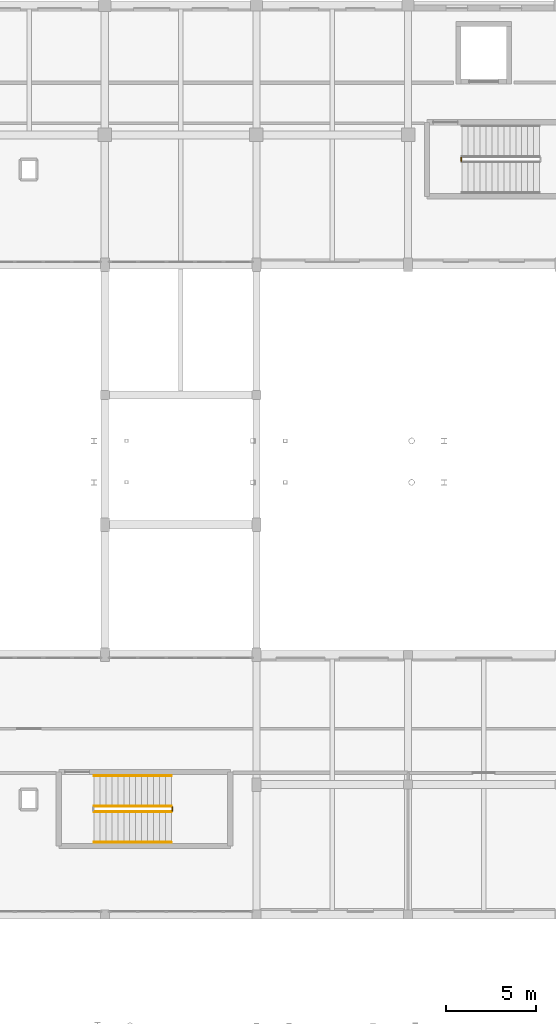
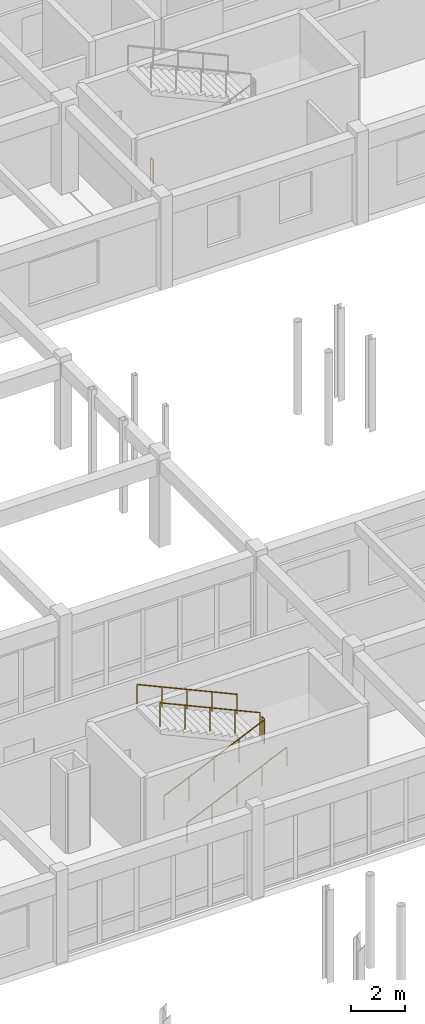
# One storey, part 89 of 90: 6 railings.
"""IFC4 building model written with IfcOpenShell, lengths in metres."""

from ifc_helpers import new_model, si_unit, direction, frame, origin, origin_2d, place, context, subcontext, project, spatial, circle, extrude, material, layer, layer_set, type_object, element, save


model = new_model("IFC4")

# Units and contexts
model_context = context("Model", 3, precision=1e-05, world=origin(), true_north=direction((0.0, 1.0)))
body_context = subcontext(model_context, "Body", "Model", "MODEL_VIEW")
ifc_project = project(units=[si_unit("LENGTHUNIT", "METRE"), si_unit("AREAUNIT", "SQUARE_METRE"), si_unit("VOLUMEUNIT", "CUBIC_METRE"), si_unit("PLANEANGLEUNIT", "RADIAN"), si_unit("MASSUNIT", "GRAM", prefix="KILO")], contexts=[model_context])

# Site, building, storey
site_placement = place(None, origin())
site = spatial("IfcSite", under=ifc_project, at=site_placement, CompositionType="ELEMENT")
building_placement = place(site_placement, origin())
building = spatial("IfcBuilding", under=site, at=building_placement, Name="Malvenik Polytechnic", CompositionType="ELEMENT")
storey_placement = place(building_placement, frame((0.0, 0.0, 9.300048828125)))
storey = spatial("IfcBuildingStorey", under=building, at=storey_placement, Name="L02", CompositionType="ELEMENT", Elevation=9.300048828125)

# Railings
ifc_material_1 = material(Name="Painted galvanised steel stair well balustrade 1100mm", Category="steel")
ifc_layer_1 = layer(ifc_material_1, 0.050048828125)
ifc_layer_set_1 = layer_set([ifc_layer_1], Name="Painted galvanised steel stair well balustrade 1100mm")
railing_type_1 = type_object("IfcRailingType", Name="ARC-RL-STGD", PredefinedType="BALUSTRADE", material=ifc_layer_set_1)
railing_1_placement = place(storey_placement, frame((95.35009765625, 120.949951171875, 0.0)))
element("IfcRailing", 1, at=railing_1_placement, inside=storey, type_object=railing_type_1, Name="L02 ST-03 stair guard 4", PredefinedType="BALUSTRADE", context=body_context, shape_type="SweptSolid", body=[
    extrude(circle(Radius=0.02392578125, at=origin_2d()), frame((0.0, 0.0, 1.076171875), z_axis=(0.0, 1.0, 0.0), x_axis=(-1.0, 0.0, 0.0)), (0.0, 0.0, 1.0), 0.199951171875),
    extrude(circle(Radius=0.02099609375, at=origin_2d()), origin(), (0.0, 0.0, 1.0), 1.052001953125),
    extrude(circle(Radius=0.02099609375, at=origin_2d()), frame((0.0, 0.199951171875, 0.0)), (0.0, 0.0, 1.0), 1.052001953125),
])
railing_2_placement = place(storey_placement, frame((75.0, 84.89990234375, 0.14990234375)))
element("IfcRailing", 2, at=railing_2_placement, inside=storey, type_object=railing_type_1, Name="L02 ST-05 stair guard 1", PredefinedType="BALUSTRADE", context=body_context, shape_type="SweptSolid", body=[
    extrude(circle(Radius=0.02392578125, at=origin_2d()), frame((0.0, 0.0, 1.076171875), z_axis=(0.910371800137, 0.0, 0.413791234219), x_axis=(0.0, 1.0, 0.0)), (0.0, 0.0, 1.0), 4.71240234375),
    extrude(circle(Radius=0.02099609375, at=origin_2d()), origin(), (0.0, 0.0, 1.0), 1.052001953125),
    extrude(circle(Radius=0.02099609375, at=origin_2d()), frame((1.072509765625, 0.0, 0.487548828125)), (0.0, 0.0, 1.0), 1.052001953125),
    extrude(circle(Radius=0.02099609375, at=origin_2d()), frame((2.14501953125, 0.0, 0.97509765625)), (0.0, 0.0, 1.0), 1.052001953125),
    extrude(circle(Radius=0.02099609375, at=origin_2d()), frame((3.217529296875, 0.0, 1.46240234375)), (0.0, 0.0, 1.0), 1.052001953125),
    extrude(circle(Radius=0.02099609375, at=origin_2d()), frame((4.2900390625, 0.0, 1.949951171875)), (0.0, 0.0, 1.0), 1.052001953125),
])
railing_3_placement = place(storey_placement, frame((79.340087890625, 84.949951171875, 2.099853515625)))
element("IfcRailing", 3, at=railing_3_placement, inside=storey, type_object=railing_type_1, Name="L02 ST-05 stair guard 2", PredefinedType="BALUSTRADE", context=body_context, shape_type="SweptSolid", body=[
    extrude(circle(Radius=0.02392578125, at=origin_2d()), frame((0.0, 0.0, 1.076171875), z_axis=(0.0, 1.0, 0.0), x_axis=(-1.0, 0.0, 0.0)), (0.0, 0.0, 1.0), 0.199951171875),
    extrude(circle(Radius=0.02099609375, at=origin_2d()), origin(), (0.0, 0.0, 1.0), 1.052001953125),
    extrude(circle(Radius=0.02099609375, at=origin_2d()), frame((0.0, 0.199951171875, 0.0)), (0.0, 0.0, 1.0), 1.052001953125),
])
railing_4_placement = place(storey_placement, frame((79.2900390625, 85.199951171875, 2.25)))
element("IfcRailing", 4, at=railing_4_placement, inside=storey, type_object=railing_type_1, Name="L02 ST-05 stair guard 3", PredefinedType="BALUSTRADE", context=body_context, shape_type="SweptSolid", body=[
    extrude(circle(Radius=0.02392578125, at=origin_2d()), frame((0.0, 0.0, 1.076171875), z_axis=(-0.910371800137, 0.0, 0.413791234219), x_axis=(0.0, -1.0, 0.0)), (0.0, 0.0, 1.0), 4.71240234375),
    extrude(circle(Radius=0.02099609375, at=origin_2d()), origin(), (0.0, 0.0, 1.0), 1.052001953125),
    extrude(circle(Radius=0.02099609375, at=origin_2d()), frame((-1.072509765625, 0.0, 0.487548828125)), (0.0, 0.0, 1.0), 1.052001953125),
    extrude(circle(Radius=0.02099609375, at=origin_2d()), frame((-2.14501953125, 0.0, 0.97509765625)), (0.0, 0.0, 1.0), 1.052001953125),
    extrude(circle(Radius=0.02099609375, at=origin_2d()), frame((-3.217529296875, 0.0, 1.46240234375)), (0.0, 0.0, 1.0), 1.052001953125),
    extrude(circle(Radius=0.02099609375, at=origin_2d()), frame((-4.2900390625, 0.0, 1.949951171875)), (0.0, 0.0, 1.0), 1.052001953125),
])
ifc_material_2 = material(Name="Brushed stainless steel 1.4301 stair wall handrail", Category="steel")
ifc_layer_2 = layer(ifc_material_2, 0.044921875)
ifc_layer_set_2 = layer_set([ifc_layer_2], Name="Brushed stainless steel 1.4301 stair wall handrail")
railing_type_2 = type_object("IfcRailingType", Name="ARC-RL-STHR", PredefinedType="HANDRAIL", material=ifc_layer_set_2)
railing_5_placement = place(storey_placement, frame((75.0, 83.199951171875, 0.14990234375)))
element("IfcRailing", 5, at=railing_5_placement, inside=storey, type_object=railing_type_2, Name="L02 ST-05 stair handrail 1", PredefinedType="HANDRAIL", context=body_context, shape_type="SweptSolid", body=[
    extrude(circle(Radius=0.02392578125, at=origin_2d()), frame((0.0, 0.0, 0.8759765625), z_axis=(0.910371800137, 0.0, 0.413791234219), x_axis=(0.0, 1.0, 0.0)), (0.0, 0.0, 1.0), 4.71240234375),
    extrude(circle(Radius=0.02099609375, at=origin_2d()), origin(), (0.0, 0.0, 1.0), 0.851806640625),
    extrude(circle(Radius=0.02099609375, at=origin_2d()), frame((1.072509765625, 0.0, 0.487548828125)), (0.0, 0.0, 1.0), 0.851806640625),
    extrude(circle(Radius=0.02099609375, at=origin_2d()), frame((2.14501953125, 0.0, 0.97509765625)), (0.0, 0.0, 1.0), 0.851806640625),
    extrude(circle(Radius=0.02099609375, at=origin_2d()), frame((3.217529296875, 0.0, 1.46240234375)), (0.0, 0.0, 1.0), 0.851806640625),
    extrude(circle(Radius=0.02099609375, at=origin_2d()), frame((4.2900390625, 0.0, 1.949951171875)), (0.0, 0.0, 1.0), 0.851806640625),
])
railing_6_placement = place(storey_placement, frame((79.2900390625, 86.89990234375, 2.25)))
element("IfcRailing", 6, at=railing_6_placement, inside=storey, type_object=railing_type_2, Name="L02 ST-05 stair handrail 2", PredefinedType="HANDRAIL", context=body_context, shape_type="SweptSolid", body=[
    extrude(circle(Radius=0.02392578125, at=origin_2d()), frame((0.0, 0.0, 0.8759765625), z_axis=(-0.910371800137, 0.0, 0.413791234219), x_axis=(0.0, -1.0, 0.0)), (0.0, 0.0, 1.0), 4.71240234375),
    extrude(circle(Radius=0.02099609375, at=origin_2d()), origin(), (0.0, 0.0, 1.0), 0.851806640625),
    extrude(circle(Radius=0.02099609375, at=origin_2d()), frame((-1.072509765625, 0.0, 0.487548828125)), (0.0, 0.0, 1.0), 0.851806640625),
    extrude(circle(Radius=0.02099609375, at=origin_2d()), frame((-2.14501953125, 0.0, 0.97509765625)), (0.0, 0.0, 1.0), 0.851806640625),
    extrude(circle(Radius=0.02099609375, at=origin_2d()), frame((-3.217529296875, 0.0, 1.46240234375)), (0.0, 0.0, 1.0), 0.851806640625),
    extrude(circle(Radius=0.02099609375, at=origin_2d()), frame((-4.2900390625, 0.0, 1.949951171875)), (0.0, 0.0, 1.0), 0.851806640625),
])

save(model, "model.ifc")
